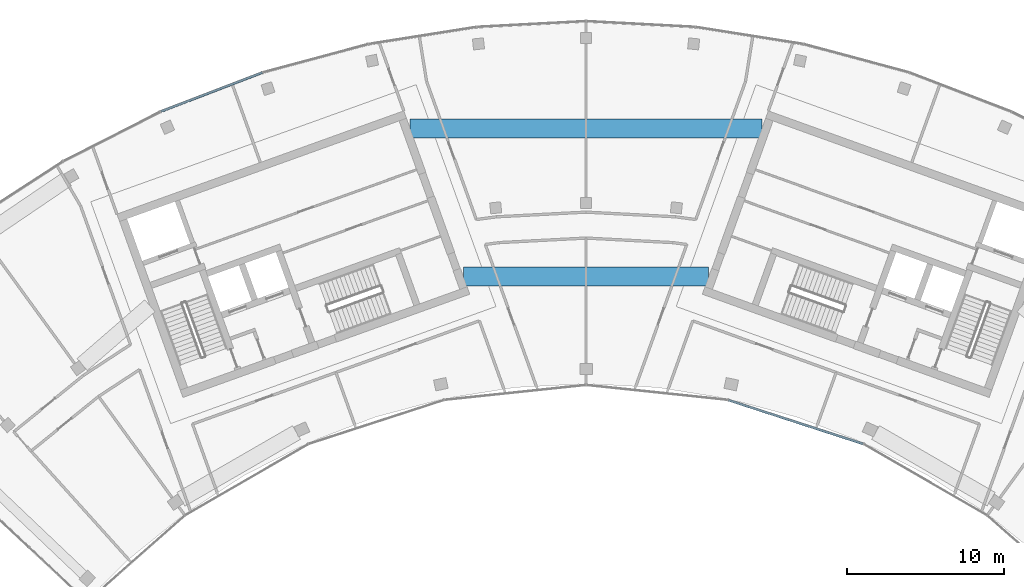
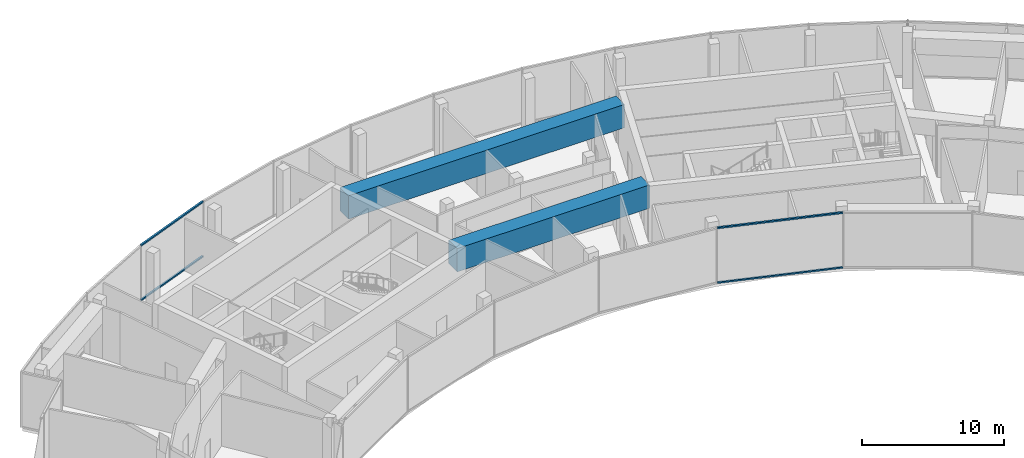
# One storey, part 6 of 17: 4 members, 2 beams, 2 elements without a shape of their own.
"""IFC4 building model written with IfcOpenShell, lengths in metres."""

from ifc_helpers import new_model, si_unit, direction, frame, origin, origin_2d, place, context, subcontext, project, spatial, rectangle, extrude, material, layer, layer_set, material_profile, profile_set, type_object, element, aggregate, save


model = new_model("IFC4")

# Units and contexts
model_context = context("Model", 3, precision=1e-05, world=origin(), true_north=direction((0.0, 1.0)))
body_context = subcontext(model_context, "Body", "Model", "MODEL_VIEW")
ifc_project = project(units=[si_unit("LENGTHUNIT", "METRE"), si_unit("AREAUNIT", "SQUARE_METRE"), si_unit("VOLUMEUNIT", "CUBIC_METRE"), si_unit("PLANEANGLEUNIT", "RADIAN"), si_unit("MASSUNIT", "GRAM", prefix="KILO")], contexts=[model_context])

# Site, building, storey
site_placement = place(None, origin())
site = spatial("IfcSite", under=ifc_project, at=site_placement, CompositionType="ELEMENT")
building_placement = place(site_placement, origin())
building = spatial("IfcBuilding", under=site, at=building_placement, Name="Stone Belt Terrace Tower", CompositionType="ELEMENT")
storey_placement = place(building_placement, frame((0.0, 0.0, 318.199951171875)))
storey = spatial("IfcBuildingStorey", under=building, at=storey_placement, Name="L77", CompositionType="ELEMENT", Elevation=318.199951171875)

# Curtain wall, members
ifc_material_1 = material(Name="Aluminium 6063-T6 anodised frame", Category="aluminium")
ifc_layer = layer(ifc_material_1, 0.14990234375)
ifc_layer_set = layer_set([ifc_layer], Name="CW-C stick curtain wall, horn ends and notches")
curtain_wall_type = type_object("IfcCurtainWallType", Name="CW-C stick curtain wall, horn ends and notches", PredefinedType="NOTDEFINED", material=ifc_layer_set)
curtain_wall_1_placement = place(storey_placement, origin())
curtain_wall_1 = element("IfcCurtainWall", 1, at=curtain_wall_1_placement, inside=storey, type_object=curtain_wall_type, Name="CW-C concave face L77", PredefinedType="NOTDEFINED")
ifc_material_profile_1 = material_profile(ifc_material_1, rectangle(XDim=0.14990234375, YDim=0.1201171875, at=origin_2d()), Name="Aluminium 6063-T6 150x120")
ifc_profile_set_1 = profile_set([ifc_material_profile_1], Name="Aluminium 6063-T6 anodised frame")
member_type = type_object("IfcMemberType", Name="CW-C transom 120 x 150", PredefinedType="USERDEFINED", material=ifc_profile_set_1)
member_1_placement = place(storey_placement, frame((9.064208984375, 42.464111328125, 0.06005859375), z_axis=(0.951050607887, -0.309035177995, 0.0), x_axis=(0.309035177995, 0.951050607887, 0.0)))
member_1 = element("IfcMember", 2, at=member_1_placement, type_object=member_type, Name="CW-C transom 6.1", ObjectType="TRANSOM", PredefinedType="USERDEFINED", context=body_context, shape_type="SweptSolid", body=[
    extrude(rectangle(XDim=0.14990234375, YDim=0.1201171875, at=origin_2d()), origin(), (0.0, 0.0, 1.0), 9.0029296875),
])
member_2_placement = place(storey_placement, frame((9.064208984375, 42.464111328125, 4.739990234375), z_axis=(0.951050607887, -0.309035177995, 0.0), x_axis=(0.309035177995, 0.951050607887, 0.0)))
member_2 = element("IfcMember", 3, at=member_2_placement, type_object=member_type, Name="CW-C transom 6.2", ObjectType="TRANSOM", PredefinedType="USERDEFINED", context=body_context, shape_type="SweptSolid", body=[
    extrude(rectangle(XDim=0.14990234375, YDim=0.1201171875, at=origin_2d()), origin(), (0.0, 0.0, 1.0), 9.0029296875),
])
aggregate(curtain_wall_1, [member_1, member_2])

curtain_wall_2_placement = place(storey_placement, origin())
curtain_wall_2 = element("IfcCurtainWall", 4, at=curtain_wall_2_placement, inside=storey, type_object=curtain_wall_type, Name="CW-C convex face L77", PredefinedType="NOTDEFINED")
member_3_placement = place(storey_placement, frame((-20.6044921875, 63.304443359375, 0.06005859375), z_axis=(-0.933585210269, -0.358355487146, 0.0), x_axis=(0.358355487146, -0.933585210269, 0.0)))
member_3 = element("IfcMember", 5, at=member_3_placement, type_object=member_type, Name="CW-C transom 11.1", ObjectType="TRANSOM", PredefinedType="USERDEFINED", context=body_context, shape_type="SweptSolid", body=[
    extrude(rectangle(XDim=0.14990234375, YDim=0.1201171875, at=origin_2d()), origin(), (0.0, 0.0, 1.0), 6.900634765625),
])
member_4_placement = place(storey_placement, frame((-20.6044921875, 63.304443359375, 4.739990234375), z_axis=(-0.933585210269, -0.358355487146, 0.0), x_axis=(0.358355487146, -0.933585210269, 0.0)))
member_4 = element("IfcMember", 6, at=member_4_placement, type_object=member_type, Name="CW-C transom 11.2", ObjectType="TRANSOM", PredefinedType="USERDEFINED", context=body_context, shape_type="SweptSolid", body=[
    extrude(rectangle(XDim=0.14990234375, YDim=0.1201171875, at=origin_2d()), origin(), (0.0, 0.0, 1.0), 6.900634765625),
])
aggregate(curtain_wall_2, [member_3, member_4])

# Beams
ifc_material_2 = material(Name="Concrete B80", Category="concrete")
ifc_material_profile_2 = material_profile(ifc_material_2, rectangle(XDim=1.199951171875, YDim=2.0, at=origin_2d()), Name="RC 1200x2000")
ifc_profile_set_2 = profile_set([ifc_material_profile_2], Name="Concrete B80")
beam_type = type_object("IfcBeamType", Name="Damper girder RC 1200x2000 B80", PredefinedType="BEAM", material=ifc_profile_set_2)
beam_1_placement = place(storey_placement, frame((-7.80419921875, 50.330810546875, 3.449951171875), z_axis=(1.0, 0.0, 0.0), x_axis=(0.0, 1.0, 0.0)))
element("IfcBeam", 7, at=beam_1_placement, inside=storey, type_object=beam_type, Name="Damper girder 1", PredefinedType="BEAM", context=body_context, shape_type="SweptSolid", body=[
    extrude(rectangle(XDim=1.199951171875, YDim=2.0, at=origin_2d()), origin(), (0.0, 0.0, 1.0), 15.6083984375),
])
beam_2_placement = place(storey_placement, frame((-11.1904296875, 59.739990234375, 3.449951171875), z_axis=(1.0, 0.0, 0.0), x_axis=(0.0, 1.0, 0.0)))
element("IfcBeam", 8, at=beam_2_placement, inside=storey, type_object=beam_type, Name="Damper girder 2", PredefinedType="BEAM", context=body_context, shape_type="SweptSolid", body=[
    extrude(rectangle(XDim=1.199951171875, YDim=2.0, at=origin_2d()), origin(), (0.0, 0.0, 1.0), 22.380859375),
])

save(model, "model.ifc")
